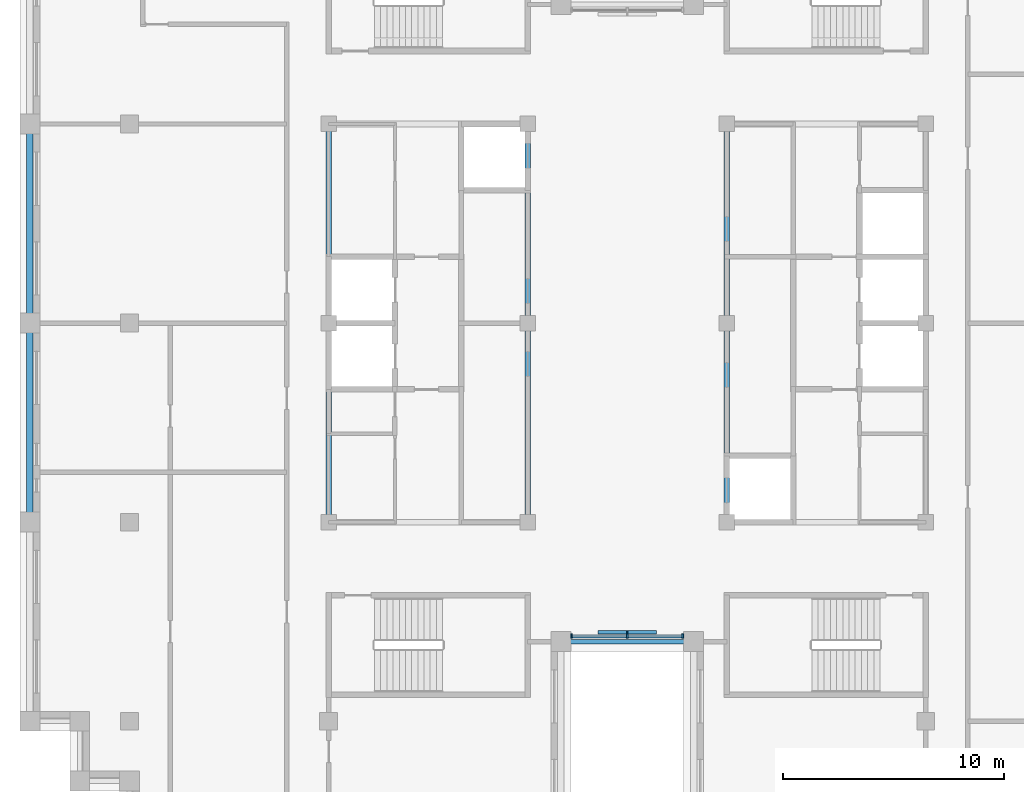
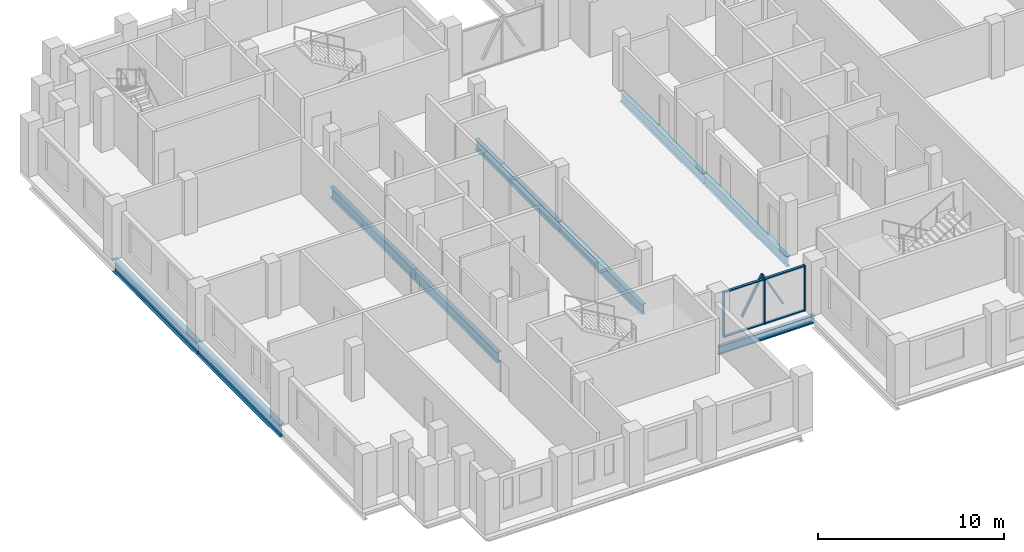
# One storey, part 2 of 13: 9 beams, 9 members, 1 element without a shape of its own.
"""IFC4 building model written with IfcOpenShell, lengths in metres."""

import ifcopenshell
import ifcopenshell.guid

model = None  # the IFC model being written
_history = None  # IfcOwnerHistory: only IFC2X3 demands one
_inside = {}  # id of a spatial element -> (the spatial element, [elements in it])
_under = {}  # id of a project, library or spatial element -> (it, [spatial elements below it])
_declared = {}  # id of a project -> (the project, [libraries it declares])
_typed = {}  # id of a type object -> (the type object, [elements of that type])
_made_of = {}  # id of a material, layer set ... -> (it, [elements and type objects made of it])


def new_model(schema):
    """Start an empty IFC model of exactly this schema.

    Asked for "IFC4X3", IfcOpenShell would pick the latest addendum, in which some entities
    have other attributes; the version numbers below select the first issue.
    IFC2X3 requires an IfcOwnerHistory on every rooted entity: one is made here for all.
    """
    global model, _history
    if schema == "IFC4X3":
        model = ifcopenshell.file(schema_version=(4, 3, 0, 0))
    else:
        model = ifcopenshell.file(schema=schema)
    _inside.clear()
    _under.clear()
    _declared.clear()
    _typed.clear()
    _made_of.clear()
    _history = None
    if model.schema == "IFC2X3":
        org = make("IfcOrganization", Name="unknown")
        user = make(
            "IfcPersonAndOrganization",
            ThePerson=make("IfcPerson", FamilyName="unknown"),
            TheOrganization=org,
        )
        app = make(
            "IfcApplication",
            ApplicationDeveloper=org,
            Version="unknown",
            ApplicationFullName="unknown",
            ApplicationIdentifier="unknown",
        )
        _history = make(
            "IfcOwnerHistory",
            OwningUser=user,
            OwningApplication=app,
            ChangeAction="ADDED",
            CreationDate=0,
        )
    return model


def make(cls, **values):
    """One entity of the class cls with the attributes given. An attribute that is None is left unset."""
    return model.create_entity(
        cls, **{name: value for name, value in values.items() if value is not None}
    )


def rooted(cls, **values):
    """An entity with a GlobalId (a new one), such as an element, a storey or a relation."""
    return make(cls, GlobalId=ifcopenshell.guid.new(), OwnerHistory=_history, **values)


def si_unit(unit_type, name, prefix=None):
    """IfcSIUnit, for example si_unit("LENGTHUNIT", "METRE", prefix="MILLI")."""
    return make("IfcSIUnit", UnitType=unit_type, Prefix=prefix, Name=name)


def assignment(units):
    """IfcUnitAssignment: the units of a project."""
    return None if units is None else make("IfcUnitAssignment", Units=units)


def point(xyz):
    """IfcCartesianPoint."""
    return None if xyz is None else make("IfcCartesianPoint", Coordinates=xyz)


def direction(xyz):
    """IfcDirection."""
    return None if xyz is None else make("IfcDirection", DirectionRatios=xyz)


def frame(location, z_axis=None, x_axis=None):
    """IfcAxis2Placement3D, a coordinate frame: its origin and axes. An axis left out is left unset."""
    return make(
        "IfcAxis2Placement3D",
        Location=point(location),
        Axis=direction(z_axis),
        RefDirection=direction(x_axis),
    )


def frame_2d(location, x_axis=None):
    """IfcAxis2Placement2D, a coordinate frame in the plane: its origin and x axis."""
    return make(
        "IfcAxis2Placement2D", Location=point(location), RefDirection=direction(x_axis)
    )


def origin():
    """The frame at (0, 0, 0) with its axes left unset."""
    return frame((0.0, 0.0, 0.0))


def origin_2d():
    """The frame at (0, 0) in the plane with its x axis left unset."""
    return frame_2d((0.0, 0.0))


def place(relative_to, where):
    """IfcLocalPlacement: puts the frame where relative to a parent placement (None: the world)."""
    return make(
        "IfcLocalPlacement", PlacementRelTo=relative_to, RelativePlacement=where
    )


def context(
    kind, dimensions, precision=None, world=None, true_north=None, identifier=None
):
    """IfcGeometricRepresentationContext, for example the 3D "Model" context."""
    return make(
        "IfcGeometricRepresentationContext",
        ContextIdentifier=identifier,
        ContextType=kind,
        CoordinateSpaceDimension=dimensions,
        Precision=precision,
        WorldCoordinateSystem=world,
        TrueNorth=true_north,
    )


def subcontext(parent, identifier, kind, view, scale=None):
    """IfcGeometricRepresentationSubContext, for example "Body" below "Model"."""
    return make(
        "IfcGeometricRepresentationSubContext",
        ContextIdentifier=identifier,
        ContextType=kind,
        ParentContext=parent,
        TargetScale=scale,
        TargetView=view,
    )


def project(units=None, contexts=None):
    """IfcProject with its units and contexts."""
    return rooted(
        "IfcProject",
        Name="project",
        RepresentationContexts=contexts,
        UnitsInContext=assignment(units),
    )


def spatial(cls, under=None, at=None, **own):
    """A site, building, storey or space (cls), placed at a placement, below another one or the project."""
    s = rooted(cls, ObjectPlacement=at, **own)
    if under is not None:
        _under.setdefault(under.id(), (under, []))[1].append(s)
    return s


def profile(cls, at=None, kind="AREA", **sizes):
    """A parametric profile (cls). Its sizes go by their IFC names, for example OverallWidth=200.0."""
    return make(cls, ProfileType=kind, Position=at, **sizes)


def rectangle(**sizes):
    """IfcRectangleProfileDef."""
    return profile("IfcRectangleProfileDef", **sizes)


def i_section(**sizes):
    """IfcIShapeProfileDef."""
    return profile("IfcIShapeProfileDef", **sizes)


def extrude(swept, where, along, depth):
    """IfcExtrudedAreaSolid: the profile swept, set in the frame where, extruded along a direction by depth."""
    return make(
        "IfcExtrudedAreaSolid",
        SweptArea=swept,
        Position=where,
        ExtrudedDirection=direction(along),
        Depth=depth,
    )


def shape(context_of_items, identifier, shape_type, items):
    """IfcShapeRepresentation: the items that make up one representation, for example the "Body"."""
    return make(
        "IfcShapeRepresentation",
        ContextOfItems=context_of_items,
        RepresentationIdentifier=identifier,
        RepresentationType=shape_type,
        Items=items,
    )


def material(Name=None, Category=None):
    """IfcMaterial."""
    return make("IfcMaterial", Name=Name, Category=Category)


def layer(
    of_material, thickness, ventilated=None, Name=None, Category=None, Priority=None
):
    """IfcMaterialLayer: one layer of a wall or slab, of a material (None: an air gap)."""
    return make(
        "IfcMaterialLayer",
        Material=of_material,
        LayerThickness=thickness,
        IsVentilated=ventilated,
        Name=Name,
        Category=Category,
        Priority=Priority,
    )


def layer_set(layers, Name=None):
    """IfcMaterialLayerSet."""
    return make("IfcMaterialLayerSet", MaterialLayers=layers, LayerSetName=Name)


def material_profile(
    of_material, cross_section, Name=None, Category=None, Priority=None
):
    """IfcMaterialProfile: a cross section and its material."""
    return make(
        "IfcMaterialProfile",
        Name=Name,
        Material=of_material,
        Profile=cross_section,
        Priority=Priority,
        Category=Category,
    )


def profile_set(profiles, Name=None, composite=None):
    """IfcMaterialProfileSet."""
    return make(
        "IfcMaterialProfileSet",
        Name=Name,
        MaterialProfiles=profiles,
        CompositeProfile=composite,
    )


def made_of(thing, what):
    """Note that an element or type object is made of a material, layer set ...; save() writes the relation."""
    if what is not None:
        _made_of.setdefault(what.id(), (what, []))[1].append(thing)
    return thing


def type_object(cls, material=None, **own):
    """A type object (cls), such as IfcWallType, which elements share."""
    return made_of(rooted(cls, **own), material)


def element(
    cls,
    number,
    at=None,
    inside=None,
    cuts=None,
    type_object=None,
    material=None,
    context=None,
    identifier="Body",
    shape_type=None,
    held_by="IfcProductDefinitionShape",
    body=None,
    shapes=None,
    **own,
):
    """One element of the class cls, such as IfcWall. Its Tag is "e" and its number.

    at: its placement. inside: the storey or other place that contains it. cuts: it is an
    opening in that element (IfcRelVoidsElement). A single representation is given by context,
    identifier, shape_type and body (its items); several are given by shapes. held_by: the class
    of the entity that holds the representations. save() writes the other relations.
    """
    e = rooted(cls, Tag="e%d" % number, ObjectPlacement=at, **own)
    if body is not None:
        shapes = [shape(context, identifier, shape_type, body)]
    if shapes is not None:
        e.Representation = make(held_by, Representations=shapes)
    if inside is not None:
        _inside.setdefault(inside.id(), (inside, []))[1].append(e)
    if cuts is not None:
        rooted(
            "IfcRelVoidsElement", RelatingBuildingElement=cuts, RelatedOpeningElement=e
        )
    if type_object is not None:
        _typed.setdefault(type_object.id(), (type_object, []))[1].append(e)
    return made_of(e, material)


def aggregate(whole, parts):
    """IfcRelAggregates: a whole, such as a stair, and the parts it consists of."""
    return rooted("IfcRelAggregates", RelatingObject=whole, RelatedObjects=parts)


def save(model, path):
    """Write the relations noted so far, then the file.

    IfcRelAggregates (storeys below a building ...), IfcRelContainedInSpatialStructure (elements
    in a storey), IfcRelDefinesByType, IfcRelAssociatesMaterial and IfcRelDeclares: one each for
    every whole, place, type object, material and project.
    """
    for whole, parts in _under.values():
        aggregate(whole, parts)
    for where, things in _inside.values():
        rooted(
            "IfcRelContainedInSpatialStructure",
            RelatedElements=things,
            RelatingStructure=where,
        )
    for kind, things in _typed.values():
        rooted("IfcRelDefinesByType", RelatedObjects=things, RelatingType=kind)
    for what, things in _made_of.values():
        rooted("IfcRelAssociatesMaterial", RelatedObjects=things, RelatingMaterial=what)
    for by, libraries in _declared.values():
        rooted("IfcRelDeclares", RelatingContext=by, RelatedDefinitions=libraries)
    model.write(path)


model = new_model("IFC4")

# Units and contexts
model_context = context("Model", 3, precision=1e-05, world=origin(), true_north=direction((0.0, 1.0)))
body_context = subcontext(model_context, "Body", "Model", "MODEL_VIEW")
ifc_project = project(units=[si_unit("LENGTHUNIT", "METRE"), si_unit("AREAUNIT", "SQUARE_METRE"), si_unit("VOLUMEUNIT", "CUBIC_METRE"), si_unit("PLANEANGLEUNIT", "RADIAN"), si_unit("MASSUNIT", "GRAM", prefix="KILO")], contexts=[model_context])

# Site, building, storey
site_placement = place(None, origin())
site = spatial("IfcSite", under=ifc_project, at=site_placement, CompositionType="ELEMENT")
building_placement = place(site_placement, origin())
building = spatial("IfcBuilding", under=site, at=building_placement, Name="Corbelhall Arena Tower", CompositionType="ELEMENT")
storey_placement = place(building_placement, frame((0.0, 0.0, 316.0)))
storey = spatial("IfcBuildingStorey", under=building, at=storey_placement, Name="L69", CompositionType="ELEMENT", Elevation=316.0)

# Curtain wall, members
ifc_material_1 = material(Name="Aluminium black anodised", Category="aluminium")
ifc_layer = layer(ifc_material_1, 0.199951171875)
ifc_layer_set = layer_set([ifc_layer], Name="EV-CW1 Slot back wall")
curtain_wall_type = type_object("IfcCurtainWallType", Name="EV-CW1 Slot back wall", PredefinedType="NOTDEFINED", material=ifc_layer_set)
curtain_wall_placement = place(storey_placement, origin())
curtain_wall = element("IfcCurtainWall", 1, at=curtain_wall_placement, inside=storey, type_object=curtain_wall_type, Name="Curtain wall CW1", PredefinedType="NOTDEFINED")
ifc_material_profile_1 = material_profile(ifc_material_1, rectangle(XDim=0.199951171875, YDim=0.074951171875, at=origin_2d()))
ifc_profile_set_1 = profile_set([ifc_material_profile_1], Name="Aluminium black anodised")
member_type_1 = type_object("IfcMemberType", Name="EV-CW1-MULLION", PredefinedType="MULLION", material=ifc_profile_set_1)
member_1_placement = place(storey_placement, frame((-2.512451171875, -14.14990234375, 0.0), z_axis=(0.0, 0.0, 1.0), x_axis=(0.0, 1.0, 0.0)))
member_1 = element("IfcMember", 2, at=member_1_placement, type_object=member_type_1, Name="CW1 mullion 1", PredefinedType="MULLION", context=body_context, shape_type="SweptSolid", body=[
    extrude(rectangle(XDim=0.199951171875, YDim=0.074951171875, at=origin_2d()), origin(), (0.0, 0.0, 1.0), 2.989990234375),
])
member_2_placement = place(storey_placement, frame((0.0, -14.14990234375, 0.0), z_axis=(0.0, 0.0, 1.0), x_axis=(0.0, 1.0, 0.0)))
member_2 = element("IfcMember", 3, at=member_2_placement, type_object=member_type_1, Name="CW1 mullion 2", PredefinedType="MULLION", context=body_context, shape_type="SweptSolid", body=[
    extrude(rectangle(XDim=0.199951171875, YDim=0.074951171875, at=origin_2d()), origin(), (0.0, 0.0, 1.0), 2.989990234375),
])
member_3_placement = place(storey_placement, frame((2.512451171875, -14.14990234375, 0.0), z_axis=(0.0, 0.0, 1.0), x_axis=(0.0, 1.0, 0.0)))
member_3 = element("IfcMember", 4, at=member_3_placement, type_object=member_type_1, Name="CW1 mullion 3", PredefinedType="MULLION", context=body_context, shape_type="SweptSolid", body=[
    extrude(rectangle(XDim=0.199951171875, YDim=0.074951171875, at=origin_2d()), origin(), (0.0, 0.0, 1.0), 2.989990234375),
])
ifc_material_profile_2 = material_profile(ifc_material_1, rectangle(XDim=0.14990234375, YDim=0.074951171875, at=origin_2d()))
ifc_profile_set_2 = profile_set([ifc_material_profile_2], Name="Aluminium black anodised")
member_type_2 = type_object("IfcMemberType", Name="EV-CW1-TRANSOM", PredefinedType="USERDEFINED", material=ifc_profile_set_2)
member_4_placement = place(storey_placement, frame((-2.47509765625, -14.14990234375, 0.03759765625), z_axis=(1.0, 0.0, 0.0), x_axis=(0.0, 1.0, 0.0)))
member_4 = element("IfcMember", 5, at=member_4_placement, type_object=member_type_2, Name="CW1 transom 1.1", ObjectType="transom", PredefinedType="USERDEFINED", context=body_context, shape_type="SweptSolid", body=[
    extrude(rectangle(XDim=0.14990234375, YDim=0.074951171875, at=origin_2d()), origin(), (0.0, 0.0, 1.0), 2.4375),
])
member_5_placement = place(storey_placement, frame((-2.47509765625, -14.14990234375, 2.952392578125), z_axis=(1.0, 0.0, 0.0), x_axis=(0.0, 1.0, 0.0)))
member_5 = element("IfcMember", 6, at=member_5_placement, type_object=member_type_2, Name="CW1 transom 1.2", ObjectType="transom", PredefinedType="USERDEFINED", context=body_context, shape_type="SweptSolid", body=[
    extrude(rectangle(XDim=0.14990234375, YDim=0.074951171875, at=origin_2d()), origin(), (0.0, 0.0, 1.0), 2.4375),
])
member_6_placement = place(storey_placement, frame((0.03759765625, -14.14990234375, 0.03759765625), z_axis=(1.0, 0.0, 0.0), x_axis=(0.0, 1.0, 0.0)))
member_6 = element("IfcMember", 7, at=member_6_placement, type_object=member_type_2, Name="CW1 transom 2.1", ObjectType="transom", PredefinedType="USERDEFINED", context=body_context, shape_type="SweptSolid", body=[
    extrude(rectangle(XDim=0.14990234375, YDim=0.074951171875, at=origin_2d()), origin(), (0.0, 0.0, 1.0), 2.4375),
])
member_7_placement = place(storey_placement, frame((0.03759765625, -14.14990234375, 2.952392578125), z_axis=(1.0, 0.0, 0.0), x_axis=(0.0, 1.0, 0.0)))
member_7 = element("IfcMember", 8, at=member_7_placement, type_object=member_type_2, Name="CW1 transom 2.2", ObjectType="transom", PredefinedType="USERDEFINED", context=body_context, shape_type="SweptSolid", body=[
    extrude(rectangle(XDim=0.14990234375, YDim=0.074951171875, at=origin_2d()), origin(), (0.0, 0.0, 1.0), 2.4375),
])
aggregate(curtain_wall, [member_1, member_2, member_3, member_4, member_5, member_6, member_7])

# Members
ifc_material_profile_3 = material_profile(ifc_material_1, rectangle(XDim=0.159912109375, YDim=0.10009765625, at=origin_2d()))
ifc_profile_set_3 = profile_set([ifc_material_profile_3], Name="Aluminium black anodised")
member_type_3 = type_object("IfcMemberType", Name="EV-TR1 Tracery bar", PredefinedType="USERDEFINED", material=ifc_profile_set_3)
for number, where, z_axis, x_axis, name in (
    (9, (-1.27490234375, -13.969970703125, 0.807373046875), (0.478030960994, 0.0, 0.878342985588), (0.0, 1.0, 0.0), "Tracery bar"),
    (10, (0.0, -13.969970703125, 3.14990234375), (0.478030960994, 0.0, -0.878342985588), (0.0, 1.0, 0.0), "Tracery bar"),
):
    element("IfcMember", number, at=place(storey_placement, frame(where, z_axis=z_axis, x_axis=x_axis)), inside=storey, type_object=member_type_3, Name=name, ObjectType="TRACERY", PredefinedType="USERDEFINED", context=body_context, shape_type="SweptSolid", body=[
        extrude(rectangle(XDim=0.159912109375, YDim=0.10009765625, at=origin_2d()), origin(), (0.0, 0.0, 1.0), 2.6669921875),
    ])

# Beams
ifc_material_2 = material(Name="Steel ASTM A992 Gr50", Category="steel")
ifc_material_profile_4 = material_profile(ifc_material_2, i_section(OverallWidth=0.25390625, OverallDepth=0.67822265625, WebThickness=0.01171875, FlangeThickness=0.016357421875, at=origin_2d()))
ifc_profile_set_4 = profile_set([ifc_material_profile_4], Name="Steel ASTM A992 Gr50")
beam_type_1 = type_object("IfcBeamType", Name="ST-BEAM-W27x84", PredefinedType="BEAM", material=ifc_profile_set_4)
for number, where, z_axis, x_axis, name in (
    (11, (-13.5, -9.0, -0.59912109375), (0.0, 1.0, 0.0), (-1.0, 0.0, 0.0), "Beam CEW 1"),
    (12, (-13.5, 0.0, -0.59912109375), (0.0, 1.0, 0.0), (-1.0, 0.0, 0.0), "Beam CEW 2"),
    (13, (-4.5, -9.0, -0.59912109375), (0.0, 1.0, 0.0), (-1.0, 0.0, 0.0), "Beam CEW 3"),
    (14, (-4.5, 0.0, -0.59912109375), (0.0, 1.0, 0.0), (-1.0, 0.0, 0.0), "Beam CEW 4"),
    (15, (4.5, -9.0, -0.59912109375), (0.0, 1.0, 0.0), (-1.0, 0.0, 0.0), "Beam CEE 7"),
    (16, (4.5, 0.0, -0.59912109375), (0.0, 1.0, 0.0), (-1.0, 0.0, 0.0), "Beam CEE 8"),
):
    element("IfcBeam", number, at=place(storey_placement, frame(where, z_axis=z_axis, x_axis=x_axis)), inside=storey, type_object=beam_type_1, Name=name, PredefinedType="BEAM", context=body_context, shape_type="SweptSolid", body=[
        extrude(i_section(OverallWidth=0.25390625, OverallDepth=0.67822265625, WebThickness=0.01171875, FlangeThickness=0.016357421875, at=origin_2d()), origin(), (0.0, 0.0, 1.0), 9.0),
    ])
ifc_material_profile_5 = material_profile(ifc_material_2, i_section(OverallWidth=0.209228515625, OverallDepth=0.533447265625, WebThickness=0.01025390625, FlangeThickness=0.015625, at=origin_2d()))
ifc_profile_set_5 = profile_set([ifc_material_profile_5], Name="Steel ASTM A992 Gr50")
beam_type_2 = type_object("IfcBeamType", Name="ST-SPANDREL-W21x62", PredefinedType="SPANDREL", material=ifc_profile_set_5)
beam_placement = place(storey_placement, frame((3.0, -14.39990234375, -0.526611328125), z_axis=(-1.0, 0.0, 0.0), x_axis=(0.0, -1.0, 0.0)))
element("IfcBeam", 17, at=beam_placement, inside=storey, type_object=beam_type_2, Name="Beam SP 33", PredefinedType="SPANDREL", context=body_context, shape_type="SweptSolid", body=[
    extrude(i_section(OverallWidth=0.209228515625, OverallDepth=0.533447265625, WebThickness=0.01025390625, FlangeThickness=0.015625, at=origin_2d()), origin(), (0.0, 0.0, 1.0), 6.0),
])
ifc_material_profile_6 = material_profile(ifc_material_2, i_section(OverallWidth=0.2919921875, OverallDepth=0.845703125, WebThickness=0.015380859375, FlangeThickness=0.0244140625, at=origin_2d()))
ifc_profile_set_6 = profile_set([ifc_material_profile_6], Name="Steel ASTM A992 Gr50")
beam_type_3 = type_object("IfcBeamType", Name="ST-SPANDREL-W33x141", PredefinedType="SPANDREL", material=ifc_profile_set_6)
for number, where, z_axis, x_axis, name in (
    (18, (-27.0, 0.0, -0.682861328125), (0.0, 1.0, 0.0), (-1.0, 0.0, 0.0), "Beam SP 26"),
    (19, (-27.0, -9.0, -0.682861328125), (0.0, 1.0, 0.0), (-1.0, 0.0, 0.0), "Beam SP 29"),
):
    element("IfcBeam", number, at=place(storey_placement, frame(where, z_axis=z_axis, x_axis=x_axis)), inside=storey, type_object=beam_type_3, Name=name, PredefinedType="SPANDREL", context=body_context, shape_type="SweptSolid", body=[
        extrude(i_section(OverallWidth=0.2919921875, OverallDepth=0.845703125, WebThickness=0.015380859375, FlangeThickness=0.0244140625, at=origin_2d()), origin(), (0.0, 0.0, 1.0), 9.0),
    ])

save(model, "model.ifc")
